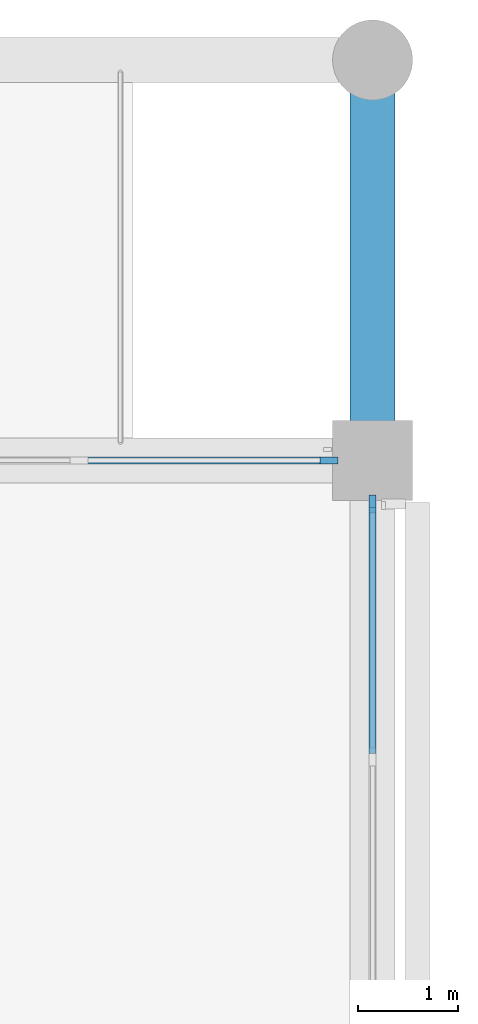
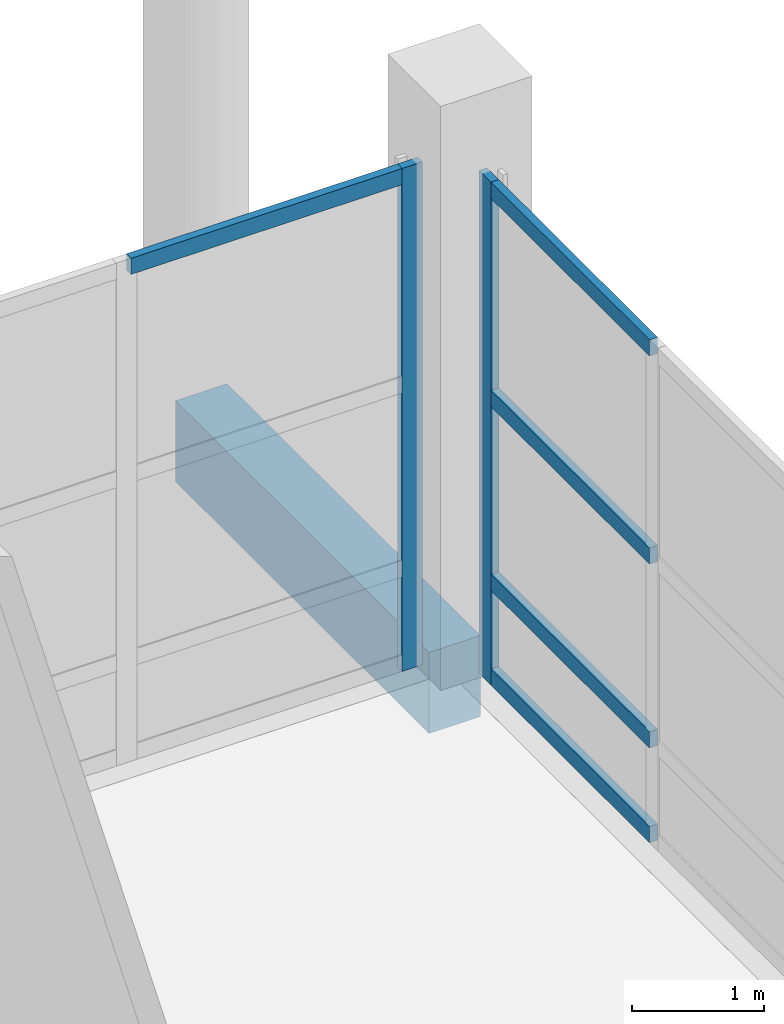
# One storey, part 40 of 140: 7 members, 1 beam, 2 elements without a shape of their own.
"""IFC4 building model written with IfcOpenShell, lengths in metres."""

from ifc_helpers import new_model, si_unit, direction, frame, origin, origin_2d, place, context, subcontext, project, spatial, rectangle, extrude, material, layer, layer_set, material_profile, profile_set, type_object, element, aggregate, save


model = new_model("IFC4")

# Units and contexts
model_context = context("Model", 3, precision=1e-05, world=origin(), true_north=direction((0.0, 1.0)))
body_context = subcontext(model_context, "Body", "Model", "MODEL_VIEW")
ifc_project = project(units=[si_unit("LENGTHUNIT", "METRE"), si_unit("AREAUNIT", "SQUARE_METRE"), si_unit("VOLUMEUNIT", "CUBIC_METRE"), si_unit("PLANEANGLEUNIT", "RADIAN"), si_unit("MASSUNIT", "GRAM", prefix="KILO")], contexts=[model_context])

# Site, building, storey
site_placement = place(None, origin())
site = spatial("IfcSite", under=ifc_project, at=site_placement, CompositionType="ELEMENT")
building_placement = place(site_placement, origin())
building = spatial("IfcBuilding", under=site, at=building_placement, Name="Telukmera Botanical Conservatory", CompositionType="ELEMENT")
storey_placement = place(building_placement, origin())
storey = spatial("IfcBuildingStorey", under=building, at=storey_placement, Name="L00", CompositionType="ELEMENT", Elevation=0.0)

# Beam
ifc_material_1 = material(Name="Concrete C40/50", Category="concrete")
ifc_material_profile_1 = material_profile(ifc_material_1, rectangle(XDim=0.449951171875, YDim=0.75, at=origin_2d()), Name="RC 450x750")
ifc_profile_set_1 = profile_set([ifc_material_profile_1], Name="Concrete C40/50")
beam_type = type_object("IfcBeamType", Name="Beam_B6", PredefinedType="BEAM", material=ifc_profile_set_1)
beam_placement = place(storey_placement, frame((42.0, 116.8798828125, -0.375), z_axis=(0.0, 1.0, 0.0), x_axis=(-1.0, 0.0, 0.0)))
element("IfcBeam", 1, at=beam_placement, inside=storey, type_object=beam_type, Name="Auditorium Frame Beam beam:V2:L00:gy:420:1168", PredefinedType="BEAM", context=body_context, shape_type="SweptSolid", body=[
    extrude(rectangle(XDim=0.449951171875, YDim=0.75, at=origin_2d()), origin(), (0.0, 0.0, 1.0), 3.840087890625),
])

# Curtain wall, member
ifc_material_2 = material(Name="Anodised aluminium 6063-T6", Category="aluminium")
ifc_layer = layer(ifc_material_2, 0.179931640625)
ifc_layer_set = layer_set([ifc_layer], Name="Anodised aluminium 6063-T6")
curtain_wall_type = type_object("IfcCurtainWallType", Name="Auditorium Ground Foyer Acoustic Curtain Wall", PredefinedType="USERDEFINED", material=ifc_layer_set)
curtain_wall_1_placement = place(storey_placement, origin())
curtain_wall_1 = element("IfcCurtainWall", 2, at=curtain_wall_1_placement, inside=storey, type_object=curtain_wall_type, Name="Unitised Curtain Wall CW04 V2:L00:N4", ObjectType="UNITISED CURTAIN WALL", PredefinedType="USERDEFINED")
ifc_material_profile_2 = material_profile(ifc_material_2, rectangle(XDim=0.070068359375, YDim=0.179931640625, at=origin_2d()), Name="ALU MULL 70x180")
ifc_profile_set_2 = profile_set([ifc_material_profile_2], Name="Anodised aluminium 6063-T6")
member_type_1 = type_object("IfcMemberType", Name="Curtain Wall Extruded Mullion 70x180", PredefinedType="MULLION", material=ifc_profile_set_2)
member_1_placement = place(storey_placement, frame((41.56298828125, 116.800048828125, 0.0), z_axis=(0.0, 0.0, 1.0), x_axis=(0.0, 1.0, 0.0)))
member_1 = element("IfcMember", 3, at=member_1_placement, type_object=member_type_1, Name="CW04 mullion 4", PredefinedType="MULLION", context=body_context, shape_type="SweptSolid", body=[
    extrude(rectangle(XDim=0.070068359375, YDim=0.179931640625, at=origin_2d()), origin(), (0.0, 0.0, 1.0), 4.64990234375),
])

curtain_wall_2_placement = place(storey_placement, origin())
curtain_wall_2 = element("IfcCurtainWall", 4, at=curtain_wall_2_placement, inside=storey, type_object=curtain_wall_type, Name="Unitised Curtain Wall CW04 V2:L00:E4", ObjectType="UNITISED CURTAIN WALL", PredefinedType="USERDEFINED")
member_2_placement = place(storey_placement, frame((42.0, 116.363037109375, 0.0), z_axis=(0.0, 0.0, 1.0), x_axis=(-1.0, 0.0, 0.0)))
member_2 = element("IfcMember", 5, at=member_2_placement, type_object=member_type_1, Name="CW04 mullion 4", PredefinedType="MULLION", context=body_context, shape_type="SweptSolid", body=[
    extrude(rectangle(XDim=0.070068359375, YDim=0.179931640625, at=origin_2d()), origin(), (0.0, 0.0, 1.0), 4.64990234375),
])

# Member
ifc_material_profile_3 = material_profile(ifc_material_2, rectangle(XDim=0.070068359375, YDim=0.14990234375, at=origin_2d()), Name="ALU TRAN 70x150")
ifc_profile_set_3 = profile_set([ifc_material_profile_3], Name="Anodised aluminium 6063-T6")
member_type_2 = type_object("IfcMemberType", Name="Curtain Wall Extruded Transom 70x150", PredefinedType="USERDEFINED", material=ifc_profile_set_3)
member_3_placement = place(storey_placement, frame((39.10107421875, 116.800048828125, 4.574951171875), z_axis=(1.0, 0.0, 0.0), x_axis=(0.0, 1.0, 0.0)))
member_3 = element("IfcMember", 6, at=member_3_placement, type_object=member_type_2, Name="CW04 transom 3.4", ObjectType="TRANSOM", PredefinedType="USERDEFINED", context=body_context, shape_type="SweptSolid", body=[
    extrude(rectangle(XDim=0.070068359375, YDim=0.14990234375, at=origin_2d()), origin(), (0.0, 0.0, 1.0), 2.427001953125),
])

aggregate(curtain_wall_1, [member_1, member_3])

member_4_placement = place(storey_placement, frame((42.0, 113.86767578125, 0.074951171875), z_axis=(0.0, 1.0, 0.0), x_axis=(-1.0, 0.0, 0.0)))
member_4 = element("IfcMember", 7, at=member_4_placement, type_object=member_type_2, Name="CW04 transom 3.1", ObjectType="TRANSOM", PredefinedType="USERDEFINED", context=body_context, shape_type="SweptSolid", body=[
    extrude(rectangle(XDim=0.070068359375, YDim=0.14990234375, at=origin_2d()), origin(), (0.0, 0.0, 1.0), 2.460205078125),
])

member_5_placement = place(storey_placement, frame((42.0, 113.86767578125, 0.949951171875), z_axis=(0.0, 1.0, 0.0), x_axis=(-1.0, 0.0, 0.0)))
member_5 = element("IfcMember", 8, at=member_5_placement, type_object=member_type_2, Name="CW04 transom 3.2", ObjectType="TRANSOM", PredefinedType="USERDEFINED", context=body_context, shape_type="SweptSolid", body=[
    extrude(rectangle(XDim=0.070068359375, YDim=0.14990234375, at=origin_2d()), origin(), (0.0, 0.0, 1.0), 2.460205078125),
])

member_6_placement = place(storey_placement, frame((42.0, 113.86767578125, 2.64990234375), z_axis=(0.0, 1.0, 0.0), x_axis=(-1.0, 0.0, 0.0)))
member_6 = element("IfcMember", 9, at=member_6_placement, type_object=member_type_2, Name="CW04 transom 3.3", ObjectType="TRANSOM", PredefinedType="USERDEFINED", context=body_context, shape_type="SweptSolid", body=[
    extrude(rectangle(XDim=0.070068359375, YDim=0.14990234375, at=origin_2d()), origin(), (0.0, 0.0, 1.0), 2.460205078125),
])

member_7_placement = place(storey_placement, frame((42.0, 113.86767578125, 4.574951171875), z_axis=(0.0, 1.0, 0.0), x_axis=(-1.0, 0.0, 0.0)))
member_7 = element("IfcMember", 10, at=member_7_placement, type_object=member_type_2, Name="CW04 transom 3.4", ObjectType="TRANSOM", PredefinedType="USERDEFINED", context=body_context, shape_type="SweptSolid", body=[
    extrude(rectangle(XDim=0.070068359375, YDim=0.14990234375, at=origin_2d()), origin(), (0.0, 0.0, 1.0), 2.460205078125),
])

aggregate(curtain_wall_2, [member_2, member_4, member_5, member_6, member_7])

save(model, "model.ifc")
